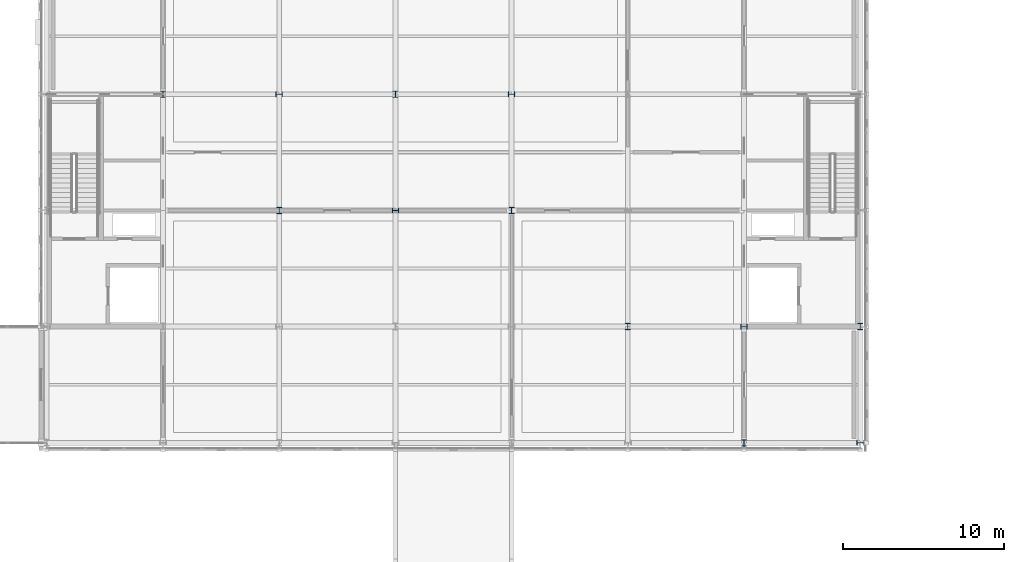
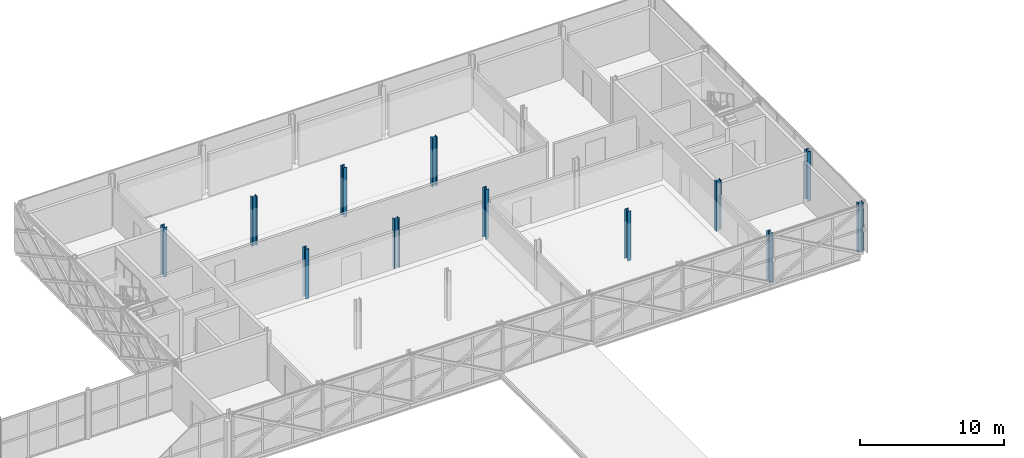
# One storey, part 12 of 126: 12 columns.
"""IFC4 building model written with IfcOpenShell, lengths in metres."""

from ifc_helpers import new_model, si_unit, direction, frame, origin, origin_2d, place, context, subcontext, project, spatial, i_section, extrude, material, material_profile, profile_set, type_object, element, save


model = new_model("IFC4")

# Units and contexts
model_context = context("Model", 3, precision=1e-05, world=origin(), true_north=direction((0.0, 1.0)))
body_context = subcontext(model_context, "Body", "Model", "MODEL_VIEW")
ifc_project = project(units=[si_unit("LENGTHUNIT", "METRE"), si_unit("AREAUNIT", "SQUARE_METRE"), si_unit("VOLUMEUNIT", "CUBIC_METRE"), si_unit("PLANEANGLEUNIT", "RADIAN"), si_unit("MASSUNIT", "GRAM", prefix="KILO")], contexts=[model_context])

# Site, building, storey
site_placement = place(None, origin())
site = spatial("IfcSite", under=ifc_project, at=site_placement, CompositionType="ELEMENT")
building_placement = place(site_placement, origin())
building = spatial("IfcBuilding", under=site, at=building_placement, Name="Zlatovets Crest Museum", CompositionType="ELEMENT")
storey_placement = place(building_placement, frame((0.0, 0.0, 8.699951171875)))
storey = spatial("IfcBuildingStorey", under=building, at=storey_placement, Name="L02", CompositionType="ELEMENT", Elevation=8.699951171875)

# Columns
ifc_material = material(Name="Structural steel S355J2", Category="steel")
ifc_material_profile = material_profile(ifc_material, i_section(OverallWidth=0.300048828125, OverallDepth=0.39990234375, WebThickness=0.013427734375, FlangeThickness=0.02392578125, FilletRadius=0.027099609375, at=origin_2d()), Name="HEB 400")
ifc_profile_set = profile_set([ifc_material_profile], Name="Structural steel S355J2")
column_type = type_object("IfcColumnType", Name="Col_C-07", PredefinedType="COLUMN", material=ifc_profile_set)
for number, where, z_axis, x_axis, name in (
    (1, (64.800048828125, 108.0, 0.0), (0.0, 0.0, 1.0), (1.0, 0.0, 0.0), "V1 L02 Column (64.8, 108.0)"),
    (2, (72.0, 100.800048828125, 0.0), (0.0, 0.0, 1.0), (1.0, 0.0, 0.0), "V1 L02 Column (72.0, 100.8)"),
    (3, (72.0, 108.0, 0.0), (0.0, 0.0, 1.0), (0.0, 1.0, 0.0), "V1 L02 Column (72.0, 108.0)"),
    (4, (79.199951171875, 100.800048828125, 0.0), (0.0, 0.0, 1.0), (0.0, 1.0, 0.0), "V1 L02 Column (79.2, 100.8)"),
    (5, (79.199951171875, 108.0, 0.0), (0.0, 0.0, 1.0), (1.0, 0.0, 0.0), "V1 L02 Column (79.2, 108.0)"),
    (6, (86.39990234375, 100.800048828125, 0.0), (0.0, 0.0, 1.0), (1.0, 0.0, 0.0), "V1 L02 Column (86.4, 100.8)"),
    (7, (86.39990234375, 108.0, 0.0), (0.0, 0.0, 1.0), (0.0, 1.0, 0.0), "V1 L02 Column (86.4, 108.0)"),
    (8, (93.60009765625, 93.60009765625, 0.0), (0.0, 0.0, 1.0), (1.0, 0.0, 0.0), "V1 L02 Column (93.6, 93.6)"),
    (9, (100.800048828125, 86.39990234375, 0.0), (0.0, 0.0, 1.0), (1.0, 0.0, 0.0), "V1 L02 Column (100.8, 86.4)"),
    (10, (100.800048828125, 93.60009765625, 0.0), (0.0, 0.0, 1.0), (0.0, 1.0, 0.0), "V1 L02 Column (100.8, 93.6)"),
    (11, (108.0, 86.39990234375, 0.0), (0.0, 0.0, 1.0), (0.0, 1.0, 0.0), "V1 L02 Column (108.0, 86.4)"),
    (12, (108.0, 93.60009765625, 0.0), (0.0, 0.0, 1.0), (1.0, 0.0, 0.0), "V1 L02 Column (108.0, 93.6)"),
):
    element("IfcColumn", number, at=place(storey_placement, frame(where, z_axis=z_axis, x_axis=x_axis)), inside=storey, type_object=column_type, Name=name, PredefinedType="COLUMN", context=body_context, shape_type="SweptSolid", body=[
        extrude(i_section(OverallWidth=0.300048828125, OverallDepth=0.39990234375, WebThickness=0.013427734375, FlangeThickness=0.02392578125, FilletRadius=0.027099609375, at=origin_2d()), origin(), (0.0, 0.0, 1.0), 4.199951171875),
    ])

save(model, "model.ifc")
